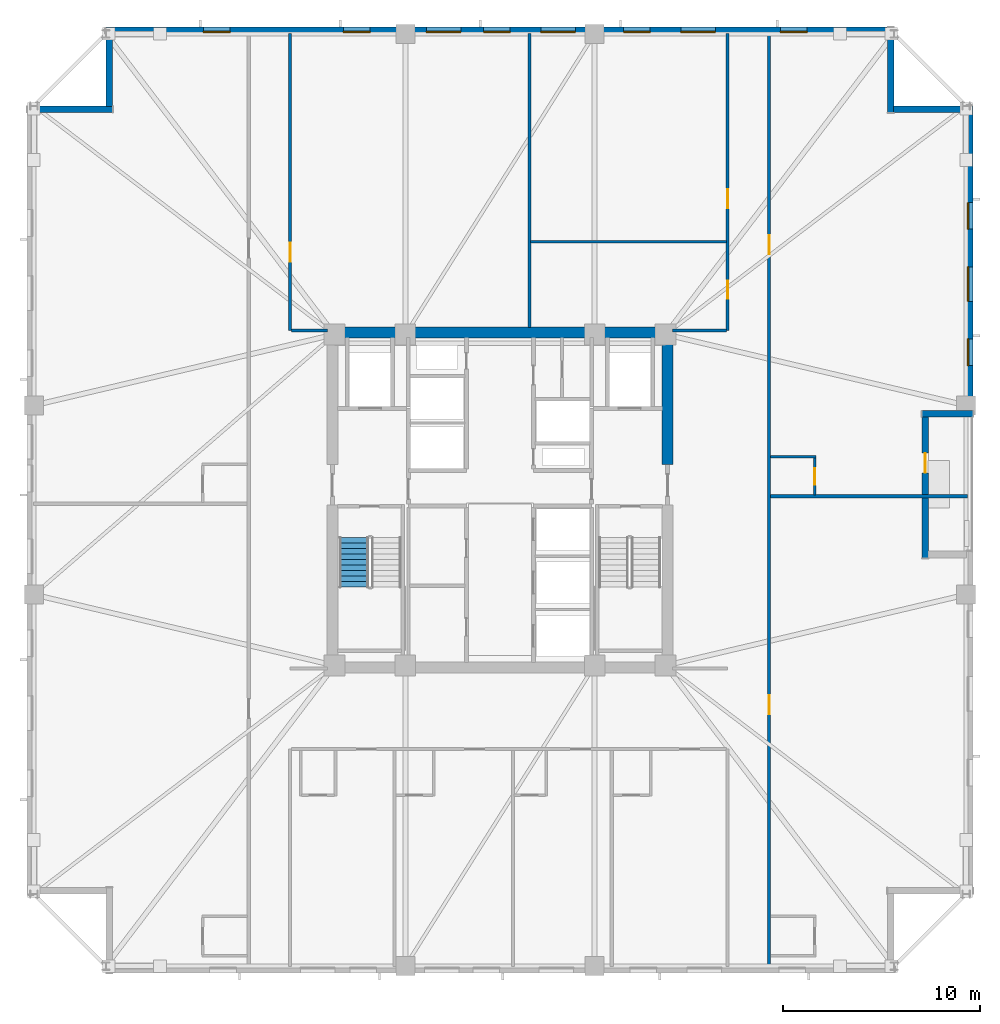
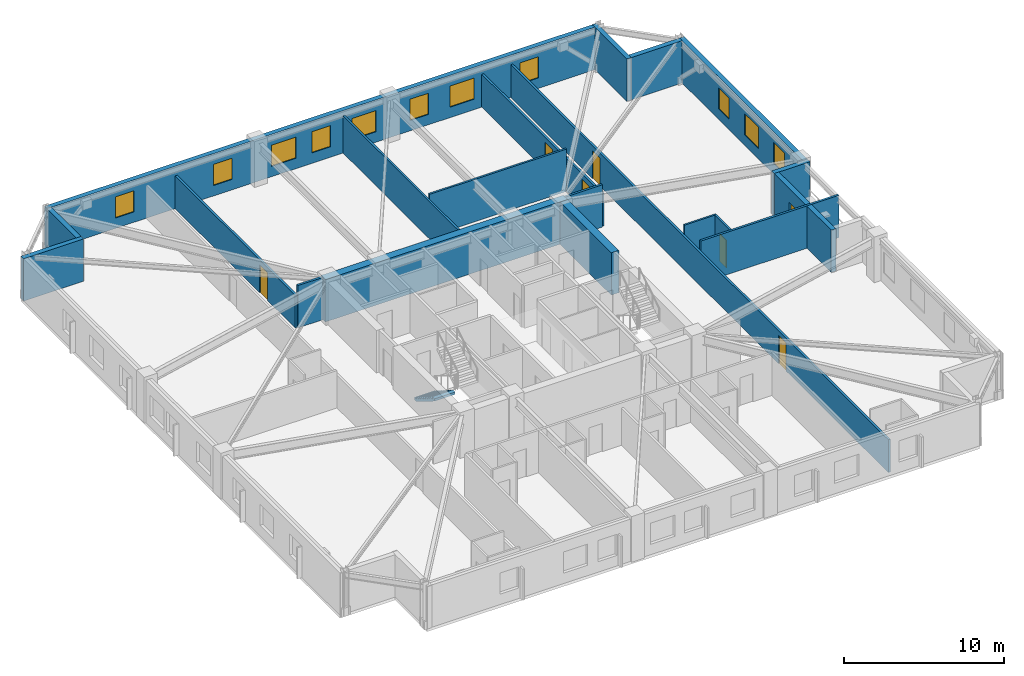
# One storey, part 5 of 11: 20 walls, 11 windows, 7 doors, 1 stair flight, 18 openings, 1 element without a shape of its own.
"""IFC4 building model written with IfcOpenShell, lengths in metres."""

from ifc_helpers import new_model, si_unit, direction, frame, frame_2d, origin, place, context, subcontext, project, spatial, polyline, rectangle, outline, extrude, material, layer, layer_set, type_object, element, fill, aggregate, save


model = new_model("IFC4")

# Units and contexts
model_context = context("Model", 3, precision=1e-05, world=origin(), true_north=direction((0.0, 1.0)))
body_context = subcontext(model_context, "Body", "Model", "MODEL_VIEW")
ifc_project = project(units=[si_unit("LENGTHUNIT", "METRE"), si_unit("AREAUNIT", "SQUARE_METRE"), si_unit("VOLUMEUNIT", "CUBIC_METRE"), si_unit("PLANEANGLEUNIT", "RADIAN"), si_unit("MASSUNIT", "GRAM", prefix="KILO")], contexts=[model_context])

# Site, building, storey
site_placement = place(None, origin())
site = spatial("IfcSite", under=ifc_project, at=site_placement, CompositionType="ELEMENT")
building_placement = place(site_placement, origin())
building = spatial("IfcBuilding", under=site, at=building_placement, Name="Cairnveth Concourse Tower", CompositionType="ELEMENT")
storey_placement = place(building_placement, frame((0.0, 0.0, 190.0)))
storey = spatial("IfcBuildingStorey", under=building, at=storey_placement, Name="L52", CompositionType="ELEMENT", Elevation=190.0)

# Wall, opening, door
ifc_material_1 = material(Name="Gypsum Plasterboard Partition", Category="gypsum")
ifc_layer_1 = layer(ifc_material_1, 0.159912109375)
ifc_layer_set_1 = layer_set([ifc_layer_1], Name="Gypsum Plasterboard Partition")
wall_type_1 = type_object("IfcWallType", Name="ACOUSTIC PARTY WALL 180", PredefinedType="PARTITIONING", material=ifc_layer_set_1)
wall_1_placement = place(storey_placement, frame((41.35009765625, 47.60009765625, 0.0), z_axis=(0.0, 0.0, 1.0), x_axis=(0.0, 1.0, 0.0)))
wall_1 = element("IfcWall", 1, at=wall_1_placement, inside=storey, type_object=wall_type_1, Name="Interior Wall IW-L52-039", PredefinedType="PARTITIONING", context=body_context, shape_type="SweptSolid", body=[
    extrude(rectangle(XDim=15.074951171875, YDim=0.159912109375, at=frame_2d((7.53759765625, 0.0))), origin(), (0.0, 0.0, 1.0), 2.514892578125),
])
opening_1_placement = place(wall_1_placement, frame((3.5, 0.0, 0.0)))
opening_1 = element("IfcOpeningElement", 2, at=opening_1_placement, cuts=wall_1, Name="Opening ID11", PredefinedType="OPENING", context=body_context, shape_type="SweptSolid", body=[
    extrude(rectangle(XDim=0.9599609375, YDim=2.1201171875, at=frame_2d((0.47998046875, 1.06005859375))), frame((0.0, 0.08984375, 0.0), z_axis=(0.0, -1.0, 0.0), x_axis=(1.0, 0.0, 0.0)), (0.0, 0.0, 1.0), 0.179931640625),
])
ifc_material_2 = material(Name="Solid Core Hardwood Timber Leaf", Category="wood")
door_type_1 = type_object("IfcDoorType", Name="INTERIOR SINGLE DOOR 960X2150", OperationType="NOTDEFINED", PredefinedType="DOOR", material=ifc_material_2)
door_1_placement = place(opening_1_placement, origin())
door_1 = element("IfcDoor", 3, at=door_1_placement, inside=storey, type_object=door_type_1, Name="Interior Door DR-L52-016", OperationType="SINGLE_SWING_RIGHT", OverallHeight=2.1201171875, OverallWidth=0.9599609375, PredefinedType="DOOR", context=body_context, shape_type="SweptSolid", body=[
    extrude(rectangle(XDim=0.9599609375, YDim=2.1201171875, at=frame_2d((0.47998046875, 1.06005859375))), frame((0.0, 0.02490234375, 0.0), z_axis=(0.0, -1.0, 0.0), x_axis=(1.0, 0.0, 0.0)), (0.0, 0.0, 1.0), 0.050048828125),
])
fill(opening_1, door_1)

# Wall
wall_2_placement = place(storey_placement, frame((41.4150390625, 47.60009765625, 0.0), z_axis=(0.0, 0.0, 1.0), x_axis=(1.0, 0.0, 0.0)))
element("IfcWall", 4, at=wall_2_placement, inside=storey, type_object=wall_type_1, Name="Interior Wall IW-L52-041", PredefinedType="PARTITIONING", context=body_context, shape_type="SweptSolid", body=[
    extrude(rectangle(XDim=1.820068359375, YDim=0.159912109375, at=frame_2d((0.91015625, 0.0))), origin(), (0.0, 0.0, 1.0), 3.239990234375),
])

# Wall, openings, doors
wall_3_placement = place(storey_placement, frame((65.64990234375, 15.324951171875, 0.0), z_axis=(0.0, 0.0, 1.0), x_axis=(0.0, 1.0, 0.0)))
wall_3 = element("IfcWall", 5, at=wall_3_placement, inside=storey, type_object=wall_type_1, Name="Interior Wall IW-L52-042", PredefinedType="PARTITIONING", context=body_context, shape_type="SweptSolid", body=[
    extrude(rectangle(XDim=47.35009765625, YDim=0.159912109375, at=frame_2d((23.675048828125, 0.0))), origin(), (0.0, 0.0, 1.0), 2.514892578125),
])
opening_2_placement = place(wall_3_placement, frame((12.800048828125, 0.0, 0.0)))
opening_2 = element("IfcOpeningElement", 6, at=opening_2_placement, cuts=wall_3, Name="Opening ID09", PredefinedType="OPENING", context=body_context, shape_type="SweptSolid", body=[
    extrude(rectangle(XDim=0.9599609375, YDim=2.14990234375, at=frame_2d((0.47998046875, 1.074951171875))), frame((0.0, 0.08984375, 0.0), z_axis=(0.0, -1.0, 0.0), x_axis=(1.0, 0.0, 0.0)), (0.0, 0.0, 1.0), 0.179931640625),
])
opening_3_placement = place(wall_3_placement, frame((36.155029296875, 0.0, 0.0)))
opening_3 = element("IfcOpeningElement", 7, at=opening_3_placement, cuts=wall_3, Name="Opening ID09", PredefinedType="OPENING", context=body_context, shape_type="SweptSolid", body=[
    extrude(rectangle(XDim=0.9599609375, YDim=2.14990234375, at=frame_2d((0.47998046875, 1.074951171875))), frame((0.0, 0.08984375, 0.0), z_axis=(0.0, -1.0, 0.0), x_axis=(1.0, 0.0, 0.0)), (0.0, 0.0, 1.0), 0.179931640625),
])
door_type_2 = type_object("IfcDoorType", Name="HOTEL ENTRANCE DOOR 960X2150", OperationType="NOTDEFINED", PredefinedType="DOOR", material=ifc_material_2)
door_2_placement = place(opening_2_placement, origin())
door_2 = element("IfcDoor", 8, at=door_2_placement, inside=storey, type_object=door_type_2, Name="Hotel Room Door L52-E1", OperationType="SINGLE_SWING_RIGHT", OverallHeight=2.14990234375, OverallWidth=0.9599609375, PredefinedType="DOOR", context=body_context, shape_type="SweptSolid", body=[
    extrude(rectangle(XDim=0.9599609375, YDim=2.14990234375, at=frame_2d((0.47998046875, 1.074951171875))), frame((0.0, 0.02490234375, 0.0), z_axis=(0.0, -1.0, 0.0), x_axis=(1.0, 0.0, 0.0)), (0.0, 0.0, 1.0), 0.050048828125),
])
fill(opening_2, door_2)
door_3_placement = place(opening_3_placement, origin())
door_3 = element("IfcDoor", 9, at=door_3_placement, inside=storey, type_object=door_type_2, Name="Hotel Room Door L52-E2", OperationType="SINGLE_SWING_RIGHT", OverallHeight=2.14990234375, OverallWidth=0.9599609375, PredefinedType="DOOR", context=body_context, shape_type="SweptSolid", body=[
    extrude(rectangle(XDim=0.9599609375, YDim=2.14990234375, at=frame_2d((0.47998046875, 1.074951171875))), frame((0.0, 0.02490234375, 0.0), z_axis=(0.0, -1.0, 0.0), x_axis=(1.0, 0.0, 0.0)), (0.0, 0.0, 1.0), 0.050048828125),
])
fill(opening_3, door_3)

wall_4_placement = place(storey_placement, frame((63.550048828125, 47.60009765625, 0.0), z_axis=(0.0, 0.0, 1.0), x_axis=(0.0, 1.0, 0.0)))
wall_4 = element("IfcWall", 10, at=wall_4_placement, inside=storey, type_object=wall_type_1, Name="Interior Wall IW-L52-044", PredefinedType="PARTITIONING", context=body_context, shape_type="SweptSolid", body=[
    extrude(rectangle(XDim=15.074951171875, YDim=0.159912109375, at=frame_2d((7.53759765625, 0.0))), origin(), (0.0, 0.0, 1.0), 2.514892578125),
])
opening_4_placement = place(wall_4_placement, frame((1.60009765625, 0.0, 0.0)))
opening_4 = element("IfcOpeningElement", 11, at=opening_4_placement, cuts=wall_4, Name="Opening ID15", PredefinedType="OPENING", context=body_context, shape_type="SweptSolid", body=[
    extrude(rectangle(XDim=0.919921875, YDim=2.1201171875, at=frame_2d((0.4599609375, 1.06005859375))), frame((0.0, 0.08984375, 0.0), z_axis=(0.0, -1.0, 0.0), x_axis=(1.0, 0.0, 0.0)), (0.0, 0.0, 1.0), 0.179931640625),
])
opening_5_placement = place(wall_4_placement, frame((6.199951171875, 0.0, 0.0)))
opening_5 = element("IfcOpeningElement", 12, at=opening_5_placement, cuts=wall_4, Name="Opening ID11", PredefinedType="OPENING", context=body_context, shape_type="SweptSolid", body=[
    extrude(rectangle(XDim=0.9599609375, YDim=2.1201171875, at=frame_2d((0.47998046875, 1.06005859375))), frame((0.0, 0.08984375, 0.0), z_axis=(0.0, -1.0, 0.0), x_axis=(1.0, 0.0, 0.0)), (0.0, 0.0, 1.0), 0.179931640625),
])
door_type_3 = type_object("IfcDoorType", Name="INTERIOR SINGLE DOOR 920X2100", OperationType="NOTDEFINED", PredefinedType="DOOR", material=ifc_material_2)
door_4_placement = place(opening_4_placement, origin())
door_4 = element("IfcDoor", 13, at=door_4_placement, inside=storey, type_object=door_type_3, Name="Interior Door DR-L52-017", OperationType="SINGLE_SWING_LEFT", OverallHeight=2.1201171875, OverallWidth=0.919921875, PredefinedType="DOOR", context=body_context, shape_type="SweptSolid", body=[
    extrude(rectangle(XDim=0.919921875, YDim=2.1201171875, at=frame_2d((0.4599609375, 1.06005859375))), frame((0.0, 0.02490234375, 0.0), z_axis=(0.0, -1.0, 0.0), x_axis=(1.0, 0.0, 0.0)), (0.0, 0.0, 1.0), 0.050048828125),
])
fill(opening_4, door_4)
door_5_placement = place(opening_5_placement, origin())
door_5 = element("IfcDoor", 14, at=door_5_placement, inside=storey, type_object=door_type_1, Name="Interior Door DR-L52-018", OperationType="SINGLE_SWING_RIGHT", OverallHeight=2.1201171875, OverallWidth=0.9599609375, PredefinedType="DOOR", context=body_context, shape_type="SweptSolid", body=[
    extrude(rectangle(XDim=0.9599609375, YDim=2.1201171875, at=frame_2d((0.47998046875, 1.06005859375))), frame((0.0, 0.02490234375, 0.0), z_axis=(0.0, -1.0, 0.0), x_axis=(1.0, 0.0, 0.0)), (0.0, 0.0, 1.0), 0.050048828125),
])
fill(opening_5, door_5)

# Walls
wall_5_placement = place(storey_placement, frame((60.764892578125, 47.60009765625, 0.0), z_axis=(0.0, 0.0, 1.0), x_axis=(1.0, 0.0, 0.0)))
element("IfcWall", 15, at=wall_5_placement, inside=storey, type_object=wall_type_1, Name="Interior Wall IW-L52-046", PredefinedType="PARTITIONING", context=body_context, shape_type="SweptSolid", body=[
    extrude(rectangle(XDim=2.72021484375, YDim=0.159912109375, at=frame_2d((1.360107421875, 0.0))), origin(), (0.0, 0.0, 1.0), 3.239990234375),
])
wall_6_placement = place(storey_placement, frame((65.72998046875, 39.190185546875, 0.0), z_axis=(0.0, 0.0, 1.0), x_axis=(1.0, 0.0, 0.0)))
element("IfcWall", 16, at=wall_6_placement, inside=storey, type_object=wall_type_1, Name="Interior Wall IW-L52-071", PredefinedType="PARTITIONING", context=body_context, shape_type="SweptSolid", body=[
    extrude(rectangle(XDim=10.0, YDim=0.159912109375, at=frame_2d((5.0, 0.0))), origin(), (0.0, 0.0, 1.0), 3.239990234375),
])
ifc_material_3 = material(Name="Concrete N80 (80 MPa)", Category="concrete")
ifc_layer_2 = layer(ifc_material_3, 0.550048828125)
ifc_layer_set_2 = layer_set([ifc_layer_2], Name="Concrete N80 (80 MPa)")
wall_type_2 = type_object("IfcWallType", Name="CORE SHEAR WALL 550", PredefinedType="SHEAR", material=ifc_layer_set_2)
wall_7_placement = place(storey_placement, frame((43.22509765625, 47.5, 0.0), z_axis=(0.0, 0.0, 1.0), x_axis=(1.0, 0.0, 0.0)))
element("IfcWall", 17, at=wall_7_placement, inside=storey, type_object=wall_type_2, Name="Core North Shear Wall L52", PredefinedType="SHEAR", context=body_context, shape_type="SweptSolid", body=[
    extrude(rectangle(XDim=17.5498046875, YDim=0.550048828125, at=frame_2d((8.77490234375, 0.0))), origin(), (0.0, 0.0, 1.0), 3.239990234375),
])
wall_8_placement = place(storey_placement, frame((60.5, 40.800048828125, 0.0), z_axis=(0.0, 0.0, 1.0), x_axis=(0.0, 1.0, 0.0)))
element("IfcWall", 18, at=wall_8_placement, inside=storey, type_object=wall_type_2, Name="Core East Shear Wall N L52", PredefinedType="SHEAR", context=body_context, shape_type="SweptSolid", body=[
    extrude(rectangle(XDim=6.43505859375, YDim=0.550048828125, at=frame_2d((3.217529296875, 0.0))), origin(), (0.0, 0.0, 1.0), 3.239990234375),
])
ifc_layer_3 = layer(ifc_material_1, 0.139892578125)
ifc_layer_set_3 = layer_set([ifc_layer_3], Name="Gypsum Plasterboard Partition")
wall_type_3 = type_object("IfcWallType", Name="GYPSUM STUD PARTITION 140", PredefinedType="PARTITIONING", material=ifc_layer_set_3)
wall_9_placement = place(storey_placement, frame((53.5, 47.760009765625, 0.0), z_axis=(0.0, 0.0, 1.0), x_axis=(0.0, 1.0, 0.0)))
element("IfcWall", 19, at=wall_9_placement, inside=storey, type_object=wall_type_3, Name="Interior Wall IW-L52-048", PredefinedType="PARTITIONING", context=body_context, shape_type="SweptSolid", body=[
    extrude(rectangle(XDim=14.9150390625, YDim=0.139892578125, at=frame_2d((7.45751953125, 0.0))), origin(), (0.0, 0.0, 1.0), 2.85595703125),
])
wall_10_placement = place(storey_placement, frame((53.554931640625, 52.10009765625, 0.0), z_axis=(0.0, 0.0, 1.0), x_axis=(1.0, 0.0, 0.0)))
element("IfcWall", 20, at=wall_10_placement, inside=storey, type_object=wall_type_3, Name="Interior Wall IW-L52-049", PredefinedType="PARTITIONING", context=body_context, shape_type="SweptSolid", body=[
    extrude(rectangle(XDim=9.93017578125, YDim=0.139892578125, at=frame_2d((4.965087890625, 0.0))), origin(), (0.0, 0.0, 1.0), 3.239990234375),
])
ifc_layer_4 = layer(ifc_material_1, 0.1298828125)
ifc_layer_set_4 = layer_set([ifc_layer_4], Name="Gypsum Plasterboard Partition")
wall_type_4 = type_object("IfcWallType", Name="WET AREA PARTITION 140", PredefinedType="PLUMBINGWALL", material=ifc_layer_set_4)
wall_11_placement = place(storey_placement, frame((65.715087890625, 41.190185546875, 0.0), z_axis=(0.0, 0.0, 1.0), x_axis=(1.0, 0.0, 0.0)))
element("IfcWall", 21, at=wall_11_placement, inside=storey, type_object=wall_type_4, Name="Interior Wall IW-L52-072", PredefinedType="PLUMBINGWALL", context=body_context, shape_type="SweptSolid", body=[
    extrude(rectangle(XDim=2.31494140625, YDim=0.1298828125, at=frame_2d((1.157470703125, 0.0))), origin(), (0.0, 0.0, 1.0), 3.239990234375),
])

# Wall, opening, door
wall_12_placement = place(storey_placement, frame((67.97998046875, 39.255126953125, 0.0), z_axis=(0.0, 0.0, 1.0), x_axis=(0.0, 1.0, 0.0)))
wall_12 = element("IfcWall", 22, at=wall_12_placement, inside=storey, type_object=wall_type_4, Name="Interior Wall IW-L52-073", PredefinedType="PLUMBINGWALL", context=body_context, shape_type="SweptSolid", body=[
    extrude(rectangle(XDim=1.885009765625, YDim=0.1298828125, at=frame_2d((0.9423828125, 0.0))), origin(), (0.0, 0.0, 1.0), 3.239990234375),
])
opening_6_placement = place(wall_12_placement, frame((0.52490234375, 0.0, 0.0)))
opening_6 = element("IfcOpeningElement", 23, at=opening_6_placement, cuts=wall_12, Name="Opening ID22", PredefinedType="OPENING", context=body_context, shape_type="SweptSolid", body=[
    extrude(rectangle(XDim=0.820068359375, YDim=2.10009765625, at=frame_2d((0.41015625, 1.050048828125))), frame((0.0, 0.074951171875, 0.0), z_axis=(0.0, -1.0, 0.0), x_axis=(1.0, 0.0, 0.0)), (0.0, 0.0, 1.0), 0.14990234375),
])
door_type_4 = type_object("IfcDoorType", Name="INTERIOR WC DOOR 820X2100", OperationType="NOTDEFINED", PredefinedType="DOOR", material=ifc_material_2)
door_6_placement = place(opening_6_placement, origin())
door_6 = element("IfcDoor", 24, at=door_6_placement, inside=storey, type_object=door_type_4, Name="En-Suite Door L52-E2", OperationType="SINGLE_SWING_LEFT", OverallHeight=2.10009765625, OverallWidth=0.820068359375, PredefinedType="DOOR", context=body_context, shape_type="SweptSolid", body=[
    extrude(rectangle(XDim=0.820068359375, YDim=2.10009765625, at=frame_2d((0.41015625, 1.050048828125))), frame((0.0, 0.02490234375, 0.0), z_axis=(0.0, -1.0, 0.0), x_axis=(1.0, 0.0, 0.0)), (0.0, 0.0, 1.0), 0.050048828125),
])
fill(opening_6, door_6)

# Walls
ifc_material_4 = material(Name="Hawthorn Red-Ochre Fired Clay Brick Masonry", Category="masonry")
ifc_layer_5 = layer(ifc_material_4, 0.340087890625)
ifc_layer_set_5 = layer_set([ifc_layer_5], Name="Hawthorn Red-Ochre Fired Clay Brick Masonry")
wall_type_5 = type_object("IfcWallType", Name="ZONE 2 BRICK PIER SPANDREL WALL 340", PredefinedType="SOLIDWALL", material=ifc_layer_set_5)
wall_13_placement = place(storey_placement, frame((28.0, 58.830078125, 0.0), z_axis=(0.0, 0.0, 1.0), x_axis=(1.0, 0.0, 0.0)))
element("IfcWall", 25, at=wall_13_placement, inside=storey, type_object=wall_type_5, Name="Exterior Wall EW-L52-S07", PredefinedType="SOLIDWALL", context=body_context, shape_type="SweptSolid", body=[
    extrude(rectangle(XDim=4.340087890625, YDim=0.340087890625, at=frame_2d((2.169921875, 0.0))), origin(), (0.0, 0.0, 1.0), 3.239990234375),
])
wall_14_placement = place(storey_placement, frame((32.169921875, 58.97802734375, 0.0), z_axis=(0.0, 0.0, 1.0), x_axis=(0.0, 1.0, 0.0)))
element("IfcWall", 26, at=wall_14_placement, inside=storey, type_object=wall_type_5, Name="Exterior Wall EW-L52-S08", PredefinedType="SOLIDWALL", context=body_context, shape_type="SweptSolid", body=[
    extrude(rectangle(XDim=3.703857421875, YDim=0.340087890625, at=frame_2d((1.85205078125, 0.0))), origin(), (0.0, 0.0, 1.0), 3.239990234375),
])

# Wall, openings, windows
wall_15_placement = place(storey_placement, frame((32.0, 62.830078125, 0.0), z_axis=(0.0, 0.0, 1.0), x_axis=(1.0, 0.0, 0.0)))
wall_15 = element("IfcWall", 27, at=wall_15_placement, inside=storey, type_object=wall_type_5, Name="Exterior Wall EW-L52-S09", PredefinedType="SOLIDWALL", context=body_context, shape_type="SweptSolid", body=[
    extrude(rectangle(XDim=39.681884765625, YDim=0.340087890625, at=frame_2d((19.8408203125, 0.0))), origin(), (0.0, 0.0, 1.0), 3.239990234375),
])
opening_7_placement = place(wall_15_placement, frame((4.951904296875, 0.0, 0.800048828125)))
opening_7 = element("IfcOpeningElement", 28, at=opening_7_placement, cuts=wall_15, Name="Opening W02", PredefinedType="OPENING", context=body_context, shape_type="SweptSolid", body=[
    extrude(rectangle(XDim=1.35009765625, YDim=1.6201171875, at=frame_2d((0.675048828125, 0.81005859375))), frame((0.0, 0.179931640625, 0.0), z_axis=(0.0, -1.0, 0.0), x_axis=(1.0, 0.0, 0.0)), (0.0, 0.0, 1.0), 0.360107421875),
])
opening_8_placement = place(wall_15_placement, frame((12.058837890625, 0.0, 0.800048828125)))
opening_8 = element("IfcOpeningElement", 29, at=opening_8_placement, cuts=wall_15, Name="Opening W02", PredefinedType="OPENING", context=body_context, shape_type="SweptSolid", body=[
    extrude(rectangle(XDim=1.35009765625, YDim=1.6201171875, at=frame_2d((0.675048828125, 0.81005859375))), frame((0.0, 0.179931640625, 0.0), z_axis=(0.0, -1.0, 0.0), x_axis=(1.0, 0.0, 0.0)), (0.0, 0.0, 1.0), 0.360107421875),
])
opening_9_placement = place(wall_15_placement, frame((16.262451171875, 0.0, 0.800048828125)))
opening_9 = element("IfcOpeningElement", 30, at=opening_9_placement, cuts=wall_15, Name="Opening W06", PredefinedType="OPENING", context=body_context, shape_type="SweptSolid", body=[
    extrude(rectangle(XDim=1.75, YDim=1.6201171875, at=frame_2d((0.875, 0.81005859375))), frame((0.0, 0.179931640625, 0.0), z_axis=(0.0, -1.0, 0.0), x_axis=(1.0, 0.0, 0.0)), (0.0, 0.0, 1.0), 0.360107421875),
])
opening_10_placement = place(wall_15_placement, frame((19.166015625, 0.0, 0.800048828125)))
opening_10 = element("IfcOpeningElement", 31, at=opening_10_placement, cuts=wall_15, Name="Opening W02", PredefinedType="OPENING", context=body_context, shape_type="SweptSolid", body=[
    extrude(rectangle(XDim=1.35009765625, YDim=1.6201171875, at=frame_2d((0.675048828125, 0.81005859375))), frame((0.0, 0.179931640625, 0.0), z_axis=(0.0, -1.0, 0.0), x_axis=(1.0, 0.0, 0.0)), (0.0, 0.0, 1.0), 0.360107421875),
])
opening_11_placement = place(wall_15_placement, frame((22.069580078125, 0.0, 0.800048828125)))
opening_11 = element("IfcOpeningElement", 32, at=opening_11_placement, cuts=wall_15, Name="Opening W06", PredefinedType="OPENING", context=body_context, shape_type="SweptSolid", body=[
    extrude(rectangle(XDim=1.75, YDim=1.6201171875, at=frame_2d((0.875, 0.81005859375))), frame((0.0, 0.179931640625, 0.0), z_axis=(0.0, -1.0, 0.0), x_axis=(1.0, 0.0, 0.0)), (0.0, 0.0, 1.0), 0.360107421875),
])
opening_12_placement = place(wall_15_placement, frame((26.273193359375, 0.0, 0.800048828125)))
opening_12 = element("IfcOpeningElement", 33, at=opening_12_placement, cuts=wall_15, Name="Opening W02", PredefinedType="OPENING", context=body_context, shape_type="SweptSolid", body=[
    extrude(rectangle(XDim=1.35009765625, YDim=1.6201171875, at=frame_2d((0.675048828125, 0.81005859375))), frame((0.0, 0.179931640625, 0.0), z_axis=(0.0, -1.0, 0.0), x_axis=(1.0, 0.0, 0.0)), (0.0, 0.0, 1.0), 0.360107421875),
])
opening_13_placement = place(wall_15_placement, frame((29.1767578125, 0.0, 0.800048828125)))
opening_13 = element("IfcOpeningElement", 34, at=opening_13_placement, cuts=wall_15, Name="Opening W06", PredefinedType="OPENING", context=body_context, shape_type="SweptSolid", body=[
    extrude(rectangle(XDim=1.75, YDim=1.6201171875, at=frame_2d((0.875, 0.81005859375))), frame((0.0, 0.179931640625, 0.0), z_axis=(0.0, -1.0, 0.0), x_axis=(1.0, 0.0, 0.0)), (0.0, 0.0, 1.0), 0.360107421875),
])
opening_14_placement = place(wall_15_placement, frame((34.230224609375, 0.0, 0.800048828125)))
opening_14 = element("IfcOpeningElement", 35, at=opening_14_placement, cuts=wall_15, Name="Opening W02", PredefinedType="OPENING", context=body_context, shape_type="SweptSolid", body=[
    extrude(rectangle(XDim=1.35009765625, YDim=1.6201171875, at=frame_2d((0.675048828125, 0.81005859375))), frame((0.0, 0.179931640625, 0.0), z_axis=(0.0, -1.0, 0.0), x_axis=(1.0, 0.0, 0.0)), (0.0, 0.0, 1.0), 0.360107421875),
])
ifc_material_5 = material(Name="Double Glazed Low-E Clear Glass", Category="glass")
window_type_1 = type_object("IfcWindowType", Name="DEEP-SET GOTHIC LANCET WINDOW 1350X1800", PartitioningType="DOUBLE_PANEL_VERTICAL", PredefinedType="WINDOW", material=ifc_material_5)
window_1_placement = place(opening_7_placement, origin())
window_1 = element("IfcWindow", 36, at=window_1_placement, inside=storey, type_object=window_type_1, Name="Gothic Lancet Window L52-9-1", OverallHeight=1.6201171875, OverallWidth=1.35009765625, PartitioningType="SINGLE_PANEL", PredefinedType="WINDOW", context=body_context, shape_type="SweptSolid", body=[
    extrude(rectangle(XDim=1.35009765625, YDim=1.6201171875, at=frame_2d((0.675048828125, 0.81005859375))), frame((0.0, -0.050048828125, 0.0), z_axis=(0.0, -1.0, 0.0), x_axis=(1.0, 0.0, 0.0)), (0.0, 0.0, 1.0), 0.06005859375),
])
fill(opening_7, window_1)
window_2_placement = place(opening_8_placement, origin())
window_2 = element("IfcWindow", 37, at=window_2_placement, inside=storey, type_object=window_type_1, Name="Gothic Lancet Window L52-9-3", OverallHeight=1.6201171875, OverallWidth=1.35009765625, PartitioningType="SINGLE_PANEL", PredefinedType="WINDOW", context=body_context, shape_type="SweptSolid", body=[
    extrude(rectangle(XDim=1.35009765625, YDim=1.6201171875, at=frame_2d((0.675048828125, 0.81005859375))), frame((0.0, -0.050048828125, 0.0), z_axis=(0.0, -1.0, 0.0), x_axis=(1.0, 0.0, 0.0)), (0.0, 0.0, 1.0), 0.06005859375),
])
fill(opening_8, window_2)
window_3_placement = place(opening_10_placement, origin())
window_3 = element("IfcWindow", 38, at=window_3_placement, inside=storey, type_object=window_type_1, Name="Gothic Lancet Window L52-9-5", OverallHeight=1.6201171875, OverallWidth=1.35009765625, PartitioningType="SINGLE_PANEL", PredefinedType="WINDOW", context=body_context, shape_type="SweptSolid", body=[
    extrude(rectangle(XDim=1.35009765625, YDim=1.6201171875, at=frame_2d((0.675048828125, 0.81005859375))), frame((0.0, -0.050048828125, 0.0), z_axis=(0.0, -1.0, 0.0), x_axis=(1.0, 0.0, 0.0)), (0.0, 0.0, 1.0), 0.06005859375),
])
fill(opening_10, window_3)
window_4_placement = place(opening_12_placement, origin())
window_4 = element("IfcWindow", 39, at=window_4_placement, inside=storey, type_object=window_type_1, Name="Gothic Lancet Window L52-9-7", OverallHeight=1.6201171875, OverallWidth=1.35009765625, PartitioningType="SINGLE_PANEL", PredefinedType="WINDOW", context=body_context, shape_type="SweptSolid", body=[
    extrude(rectangle(XDim=1.35009765625, YDim=1.6201171875, at=frame_2d((0.675048828125, 0.81005859375))), frame((0.0, -0.050048828125, 0.0), z_axis=(0.0, -1.0, 0.0), x_axis=(1.0, 0.0, 0.0)), (0.0, 0.0, 1.0), 0.06005859375),
])
fill(opening_12, window_4)
window_5_placement = place(opening_14_placement, origin())
window_5 = element("IfcWindow", 40, at=window_5_placement, inside=storey, type_object=window_type_1, Name="Gothic Lancet Window L52-9-9", OverallHeight=1.6201171875, OverallWidth=1.35009765625, PartitioningType="SINGLE_PANEL", PredefinedType="WINDOW", context=body_context, shape_type="SweptSolid", body=[
    extrude(rectangle(XDim=1.35009765625, YDim=1.6201171875, at=frame_2d((0.675048828125, 0.81005859375))), frame((0.0, -0.050048828125, 0.0), z_axis=(0.0, -1.0, 0.0), x_axis=(1.0, 0.0, 0.0)), (0.0, 0.0, 1.0), 0.06005859375),
])
fill(opening_14, window_5)
window_type_2 = type_object("IfcWindowType", Name="DEEP-SET HOTEL SUITE WINDOW 1750X1800", PartitioningType="DOUBLE_PANEL_VERTICAL", PredefinedType="WINDOW", material=ifc_material_5)
window_6_placement = place(opening_9_placement, origin())
window_6 = element("IfcWindow", 41, at=window_6_placement, inside=storey, type_object=window_type_2, Name="Gothic Lancet Window L52-9-4", OverallHeight=1.6201171875, OverallWidth=1.75, PartitioningType="SINGLE_PANEL", PredefinedType="WINDOW", context=body_context, shape_type="SweptSolid", body=[
    extrude(rectangle(XDim=1.75, YDim=1.6201171875, at=frame_2d((0.875, 0.81005859375))), frame((0.0, -0.050048828125, 0.0), z_axis=(0.0, -1.0, 0.0), x_axis=(1.0, 0.0, 0.0)), (0.0, 0.0, 1.0), 0.06005859375),
])
fill(opening_9, window_6)
window_7_placement = place(opening_11_placement, origin())
window_7 = element("IfcWindow", 42, at=window_7_placement, inside=storey, type_object=window_type_2, Name="Gothic Lancet Window L52-9-6", OverallHeight=1.6201171875, OverallWidth=1.75, PartitioningType="SINGLE_PANEL", PredefinedType="WINDOW", context=body_context, shape_type="SweptSolid", body=[
    extrude(rectangle(XDim=1.75, YDim=1.6201171875, at=frame_2d((0.875, 0.81005859375))), frame((0.0, -0.050048828125, 0.0), z_axis=(0.0, -1.0, 0.0), x_axis=(1.0, 0.0, 0.0)), (0.0, 0.0, 1.0), 0.06005859375),
])
fill(opening_11, window_7)
window_8_placement = place(opening_13_placement, origin())
window_8 = element("IfcWindow", 43, at=window_8_placement, inside=storey, type_object=window_type_2, Name="Gothic Lancet Window L52-9-8", OverallHeight=1.6201171875, OverallWidth=1.75, PartitioningType="SINGLE_PANEL", PredefinedType="WINDOW", context=body_context, shape_type="SweptSolid", body=[
    extrude(rectangle(XDim=1.75, YDim=1.6201171875, at=frame_2d((0.875, 0.81005859375))), frame((0.0, -0.050048828125, 0.0), z_axis=(0.0, -1.0, 0.0), x_axis=(1.0, 0.0, 0.0)), (0.0, 0.0, 1.0), 0.06005859375),
])
fill(opening_13, window_8)

# Walls
wall_16_placement = place(storey_placement, frame((71.830078125, 63.0, 0.0), z_axis=(0.0, 0.0, 1.0), x_axis=(0.0, -1.0, 0.0)))
element("IfcWall", 44, at=wall_16_placement, inside=storey, type_object=wall_type_5, Name="Exterior Wall EW-L52-S10", PredefinedType="SOLIDWALL", context=body_context, shape_type="SweptSolid", body=[
    extrude(rectangle(XDim=4.340087890625, YDim=0.340087890625, at=frame_2d((2.169921875, 0.0))), origin(), (0.0, 0.0, 1.0), 3.239990234375),
])
wall_17_placement = place(storey_placement, frame((71.97802734375, 58.830078125, 0.0), z_axis=(0.0, 0.0, 1.0), x_axis=(1.0, 0.0, 0.0)))
element("IfcWall", 45, at=wall_17_placement, inside=storey, type_object=wall_type_5, Name="Exterior Wall EW-L52-S11", PredefinedType="SOLIDWALL", context=body_context, shape_type="SweptSolid", body=[
    extrude(rectangle(XDim=3.703857421875, YDim=0.340087890625, at=frame_2d((1.85205078125, 0.0))), origin(), (0.0, 0.0, 1.0), 3.239990234375),
])

# Wall, openings, windows
wall_18_placement = place(storey_placement, frame((75.830078125, 59.0, 0.0), z_axis=(0.0, 0.0, 1.0), x_axis=(0.0, -1.0, 0.0)))
wall_18 = element("IfcWall", 46, at=wall_18_placement, inside=storey, type_object=wall_type_5, Name="Exterior Wall EW-L52-S12", PredefinedType="SOLIDWALL", context=body_context, shape_type="SweptSolid", body=[
    extrude(rectangle(XDim=15.48193359375, YDim=0.340087890625, at=frame_2d((7.740966796875, 0.0))), origin(), (0.0, 0.0, 1.0), 3.239990234375),
])
opening_15_placement = place(wall_18_placement, frame((4.9052734375, 0.0, 0.800048828125)))
opening_15 = element("IfcOpeningElement", 47, at=opening_15_placement, cuts=wall_18, Name="Opening W02", PredefinedType="OPENING", context=body_context, shape_type="SweptSolid", body=[
    extrude(rectangle(XDim=1.35009765625, YDim=1.6201171875, at=frame_2d((0.675048828125, 0.81005859375))), frame((0.0, 0.179931640625, 0.0), z_axis=(0.0, -1.0, 0.0), x_axis=(1.0, 0.0, 0.0)), (0.0, 0.0, 1.0), 0.360107421875),
])
opening_16_placement = place(wall_18_placement, frame((8.166015625, 0.0, 0.800048828125)))
opening_16 = element("IfcOpeningElement", 48, at=opening_16_placement, cuts=wall_18, Name="Opening W06", PredefinedType="OPENING", context=body_context, shape_type="SweptSolid", body=[
    extrude(rectangle(XDim=1.75, YDim=1.6201171875, at=frame_2d((0.875, 0.81005859375))), frame((0.0, 0.179931640625, 0.0), z_axis=(0.0, -1.0, 0.0), x_axis=(1.0, 0.0, 0.0)), (0.0, 0.0, 1.0), 0.360107421875),
])
opening_17_placement = place(wall_18_placement, frame((11.82666015625, 0.0, 0.800048828125)))
opening_17 = element("IfcOpeningElement", 49, at=opening_17_placement, cuts=wall_18, Name="Opening W02", PredefinedType="OPENING", context=body_context, shape_type="SweptSolid", body=[
    extrude(rectangle(XDim=1.35009765625, YDim=1.6201171875, at=frame_2d((0.675048828125, 0.81005859375))), frame((0.0, 0.179931640625, 0.0), z_axis=(0.0, -1.0, 0.0), x_axis=(1.0, 0.0, 0.0)), (0.0, 0.0, 1.0), 0.360107421875),
])
window_9_placement = place(opening_15_placement, origin())
window_9 = element("IfcWindow", 50, at=window_9_placement, inside=storey, type_object=window_type_1, Name="Gothic Lancet Window L52-12-1", OverallHeight=1.6201171875, OverallWidth=1.35009765625, PartitioningType="SINGLE_PANEL", PredefinedType="WINDOW", context=body_context, shape_type="SweptSolid", body=[
    extrude(rectangle(XDim=1.35009765625, YDim=1.6201171875, at=frame_2d((0.675048828125, 0.81005859375))), frame((0.0, -0.050048828125, 0.0), z_axis=(0.0, -1.0, 0.0), x_axis=(1.0, 0.0, 0.0)), (0.0, 0.0, 1.0), 0.06005859375),
])
fill(opening_15, window_9)
window_10_placement = place(opening_17_placement, origin())
window_10 = element("IfcWindow", 51, at=window_10_placement, inside=storey, type_object=window_type_1, Name="Gothic Lancet Window L52-12-3", OverallHeight=1.6201171875, OverallWidth=1.35009765625, PartitioningType="SINGLE_PANEL", PredefinedType="WINDOW", context=body_context, shape_type="SweptSolid", body=[
    extrude(rectangle(XDim=1.35009765625, YDim=1.6201171875, at=frame_2d((0.675048828125, 0.81005859375))), frame((0.0, -0.050048828125, 0.0), z_axis=(0.0, -1.0, 0.0), x_axis=(1.0, 0.0, 0.0)), (0.0, 0.0, 1.0), 0.06005859375),
])
fill(opening_17, window_10)
window_11_placement = place(opening_16_placement, origin())
window_11 = element("IfcWindow", 52, at=window_11_placement, inside=storey, type_object=window_type_2, Name="Gothic Lancet Window L52-12-2", OverallHeight=1.6201171875, OverallWidth=1.75, PartitioningType="SINGLE_PANEL", PredefinedType="WINDOW", context=body_context, shape_type="SweptSolid", body=[
    extrude(rectangle(XDim=1.75, YDim=1.6201171875, at=frame_2d((0.875, 0.81005859375))), frame((0.0, -0.050048828125, 0.0), z_axis=(0.0, -1.0, 0.0), x_axis=(1.0, 0.0, 0.0)), (0.0, 0.0, 1.0), 0.06005859375),
])
fill(opening_16, window_11)

# Wall
wall_19_placement = place(storey_placement, frame((76.0, 43.3701171875, 0.0), z_axis=(0.0, 0.0, 1.0), x_axis=(-1.0, 0.0, 0.0)))
element("IfcWall", 53, at=wall_19_placement, inside=storey, type_object=wall_type_5, Name="Exterior Wall EW-L52-S13", PredefinedType="SOLIDWALL", context=body_context, shape_type="SweptSolid", body=[
    extrude(rectangle(XDim=2.590087890625, YDim=0.340087890625, at=frame_2d((1.294921875, 0.0))), origin(), (0.0, 0.0, 1.0), 3.239990234375),
])

# Wall, opening, door
wall_20_placement = place(storey_placement, frame((73.580078125, 43.221923828125, 0.0), z_axis=(0.0, 0.0, 1.0), x_axis=(0.0, -1.0, 0.0)))
wall_20 = element("IfcWall", 54, at=wall_20_placement, inside=storey, type_object=wall_type_5, Name="Exterior Wall EW-L52-S14", PredefinedType="SOLIDWALL", context=body_context, shape_type="SweptSolid", body=[
    extrude(rectangle(XDim=7.161865234375, YDim=0.340087890625, at=frame_2d((3.5810546875, 0.0))), origin(), (0.0, 0.0, 1.0), 3.239990234375),
])
opening_18_placement = place(wall_20_placement, frame((1.8408203125, 0.0, 0.0)))
opening_18 = element("IfcOpeningElement", 55, at=opening_18_placement, cuts=wall_20, Name="Opening ED4", PredefinedType="OPENING", context=body_context, shape_type="SweptSolid", body=[
    extrude(rectangle(XDim=1.0, YDim=2.14990234375, at=frame_2d((0.5, 1.074951171875))), frame((0.0, 0.179931640625, 0.0), z_axis=(0.0, -1.0, 0.0), x_axis=(1.0, 0.0, 0.0)), (0.0, 0.0, 1.0), 0.360107421875),
])
ifc_material_6 = material(Name="Architectural Bronze Anodised Aluminium 6063-T6", Category="aluminium")
door_type_5 = type_object("IfcDoorType", Name="TERRACE GLAZED DOOR 1000X2150", OperationType="NOTDEFINED", PredefinedType="DOOR", material=ifc_material_6)
door_7_placement = place(opening_18_placement, origin())
door_7 = element("IfcDoor", 56, at=door_7_placement, inside=storey, type_object=door_type_5, Name="Spiral Terrace Door L52", OperationType="SINGLE_SWING_LEFT", OverallHeight=2.14990234375, OverallWidth=1.0, PredefinedType="DOOR", context=body_context, shape_type="SweptSolid", body=[
    extrude(rectangle(XDim=1.0, YDim=2.14990234375, at=frame_2d((0.5, 1.074951171875))), frame((0.0, 0.02490234375, 0.0), z_axis=(0.0, -1.0, 0.0), x_axis=(1.0, 0.0, 0.0)), (0.0, 0.0, 1.0), 0.050048828125),
])
fill(opening_18, door_7)

# Stair, stair flight
ifc_material_7 = material(Name="Precast concrete N50 (50 MPa)", Category="concrete")
stair_type = type_object("IfcStairType", Name="CORE DOG-LEG FIRE STAIR 1500", PredefinedType="HALF_TURN_STAIR", material=ifc_material_7)
stair_placement = place(storey_placement, origin())
stair = element("IfcStair", 57, at=stair_placement, inside=storey, type_object=stair_type, Name="L52 Fire-Isolated Stair ST-1", PredefinedType="HALF_TURN_STAIR")
stair_flight_type = type_object("IfcStairFlightType", Name="PRECAST CONCRETE STAIR FLIGHT 1500", PredefinedType="STRAIGHT", material=ifc_material_7)
stair_flight_placement = place(storey_placement, frame((44.590087890625, 37.10009765625, 0.0), z_axis=(0.0, 0.0, 1.0), x_axis=(0.0, -1.0, 0.0)))
stair_flight = element("IfcStairFlight", 58, at=stair_flight_placement, type_object=stair_flight_type, Name="ST-1 flight 1", NumberOfRisers=10, NumberOfTreads=9, PredefinedType="STRAIGHT", RiserHeight=0.175, TreadLength=0.28, context=body_context, shape_type="SweptSolid", body=[
    extrude(outline(polyline([(0.0, 0.0), (0.0, 0.175048828125), (0.280029296875, 0.175048828125), (0.280029296875, 0.35009765625), (0.56005859375, 0.35009765625), (0.56005859375, 0.52490234375), (0.840087890625, 0.52490234375), (0.840087890625, 0.699951171875), (1.1201171875, 0.699951171875), (1.1201171875, 0.875), (1.39990234375, 0.875), (1.39990234375, 1.050048828125), (1.679931640625, 1.050048828125), (1.679931640625, 1.22509765625), (1.9599609375, 1.22509765625), (1.9599609375, 1.39990234375), (2.239990234375, 1.39990234375), (2.239990234375, 1.574951171875), (2.52001953125, 1.574951171875), (2.52001953125, 1.75), (2.52001953125, 1.398193359375), (0.28271484375, 0.0), (0.0, 0.0)])), frame((0.0, 0.75, 0.0), z_axis=(0.0, -1.0, 0.0), x_axis=(1.0, 0.0, 0.0)), (0.0, 0.0, 1.0), 1.5),
])
aggregate(stair, [stair_flight])

save(model, "model.ifc")
